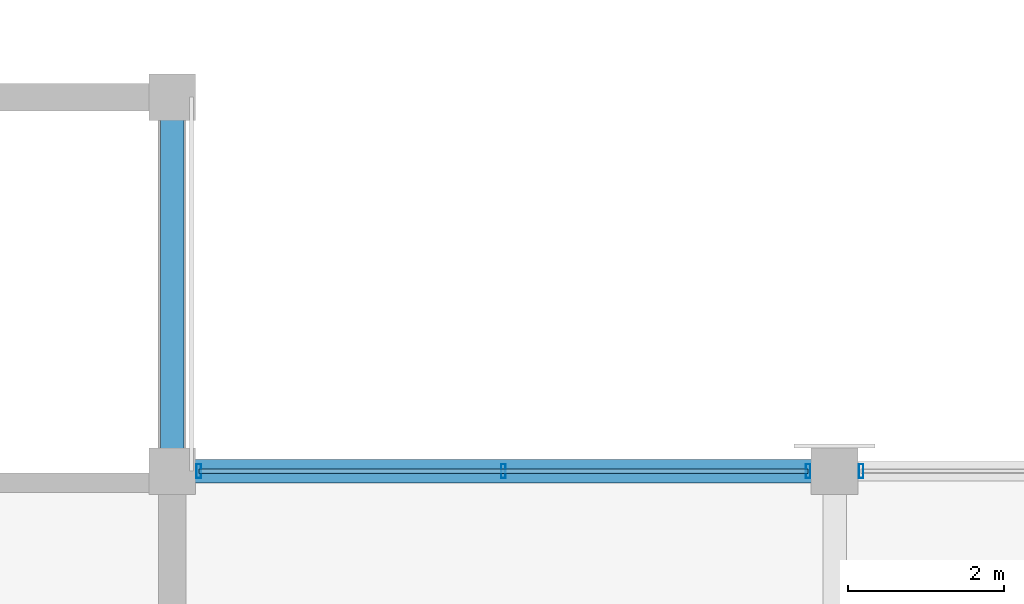
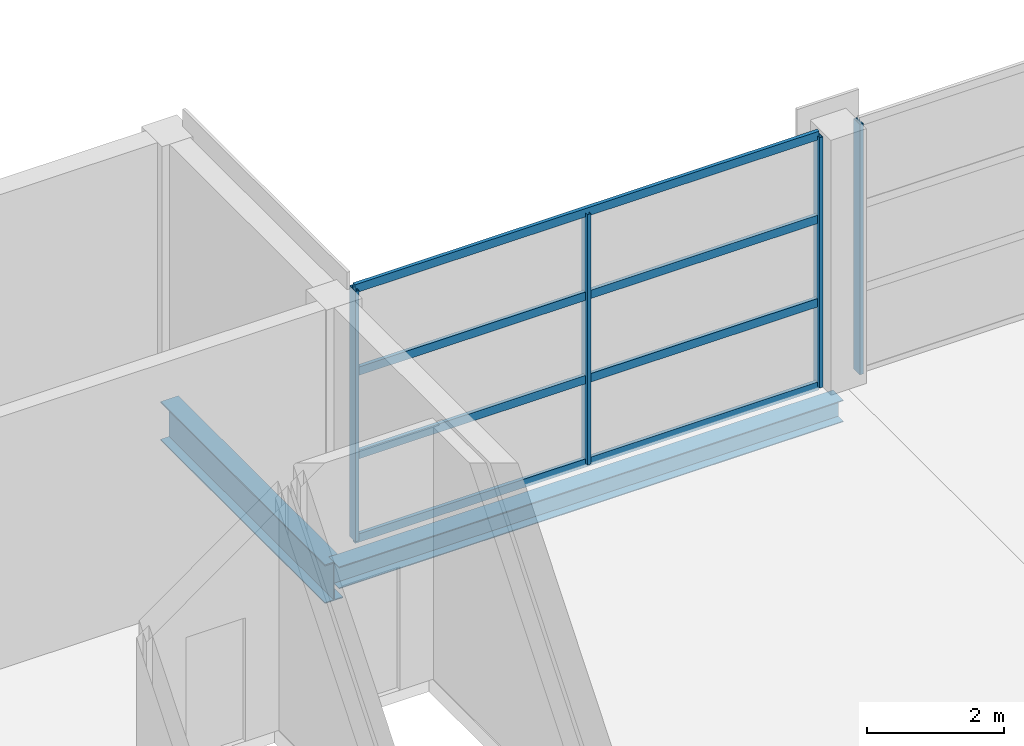
# One storey, part 15 of 46: 8 members, 2 beams, 2 elements without a shape of their own.
"""IFC4 building model written with IfcOpenShell, lengths in metres."""

from ifc_helpers import new_model, si_unit, direction, frame, origin, origin_2d, place, context, subcontext, project, spatial, hollow_rectangle, i_section, extrude, material, material_profile, profile_set, type_object, element, aggregate, save


model = new_model("IFC4")

# Units and contexts
model_context = context("Model", 3, precision=1e-05, world=origin(), true_north=direction((0.0, 1.0)))
body_context = subcontext(model_context, "Body", "Model", "MODEL_VIEW")
ifc_project = project(units=[si_unit("LENGTHUNIT", "METRE"), si_unit("AREAUNIT", "SQUARE_METRE"), si_unit("VOLUMEUNIT", "CUBIC_METRE"), si_unit("PLANEANGLEUNIT", "RADIAN"), si_unit("MASSUNIT", "GRAM", prefix="KILO")], contexts=[model_context])

# Site, building, storey
site_placement = place(None, origin())
site = spatial("IfcSite", under=ifc_project, at=site_placement, CompositionType="ELEMENT")
building_placement = place(site_placement, origin())
building = spatial("IfcBuilding", under=site, at=building_placement, Name="Solvikara Media Centre", CompositionType="ELEMENT")
storey_placement = place(building_placement, frame((0.0, 0.0, 24.60009765625)))
storey = spatial("IfcBuildingStorey", under=building, at=storey_placement, Name="L05", CompositionType="ELEMENT", Elevation=24.60009765625)

# Beams
ifc_material_1 = material(Name="Steel S355JR", Category="steel")
ifc_material_profile_1 = material_profile(ifc_material_1, i_section(OverallWidth=0.300048828125, OverallDepth=0.69189453125, WebThickness=0.012939453125, FlangeThickness=0.02001953125, at=origin_2d()), Name="H 692x300x13x20")
ifc_profile_set_1 = profile_set([ifc_material_profile_1], Name="Steel S355JR")
beam_type_1 = type_object("IfcBeamType", Name="BM-25", PredefinedType="BEAM", material=ifc_profile_set_1)
beam_1_placement = place(storey_placement, frame((42.5, 32.0, -0.628173828125), z_axis=(0.0, 1.0, 0.0), x_axis=(-1.0, 0.0, 0.0)))
element("IfcBeam", 1, at=beam_1_placement, inside=storey, type_object=beam_type_1, Name="B-L05-Y1657", PredefinedType="BEAM", context=body_context, shape_type="SweptSolid", body=[
    extrude(i_section(OverallWidth=0.300048828125, OverallDepth=0.69189453125, WebThickness=0.012939453125, FlangeThickness=0.02001953125, at=origin_2d()), origin(), (0.0, 0.0, 1.0), 4.800048828125),
])
ifc_material_profile_2 = material_profile(ifc_material_1, i_section(OverallWidth=0.300048828125, OverallDepth=0.389892578125, WebThickness=0.010009765625, FlangeThickness=0.01611328125, at=origin_2d()), Name="H 390x300x10x16")
ifc_profile_set_2 = profile_set([ifc_material_profile_2], Name="Steel S355JR")
beam_type_2 = type_object("IfcBeamType", Name="BM-29", PredefinedType="BEAM", material=ifc_profile_set_2)
beam_2_placement = place(storey_placement, frame((42.5, 32.0, -0.47705078125), z_axis=(1.0, 0.0, 0.0), x_axis=(0.0, 1.0, 0.0)))
element("IfcBeam", 2, at=beam_2_placement, inside=storey, type_object=beam_type_2, Name="B-L05-X1647", PredefinedType="BEAM", context=body_context, shape_type="SweptSolid", body=[
    extrude(i_section(OverallWidth=0.300048828125, OverallDepth=0.389892578125, WebThickness=0.010009765625, FlangeThickness=0.01611328125, at=origin_2d()), origin(), (0.0, 0.0, 1.0), 8.5),
])

# Curtain wall, members
ifc_material_2 = material(Name="Anodised aluminium EN AW-6063", Category="aluminium")
curtain_wall_type = type_object("IfcCurtainWallType", Name="CW-09", PredefinedType="NOTDEFINED", material=ifc_material_2)
curtain_wall_1_placement = place(storey_placement, origin())
curtain_wall_1 = element("IfcCurtainWall", 3, at=curtain_wall_1_placement, inside=storey, type_object=curtain_wall_type, Name="CW-L05-V6N-S1", PredefinedType="NOTDEFINED")
ifc_material_profile_3 = material_profile(ifc_material_2, hollow_rectangle(XDim=0.06005859375, YDim=0.179931640625, WallThickness=0.00341796875, at=origin_2d()), Name="ALU-M 60x180x3.5")
ifc_profile_set_3 = profile_set([ifc_material_profile_3], Name="Anodised aluminium EN AW-6063")
member_type_1 = type_object("IfcMemberType", Name="MF-03", PredefinedType="MULLION", material=ifc_profile_set_3)
member_1_placement = place(storey_placement, frame((42.840087890625, 32.0, 0.02001953125), z_axis=(0.0, 0.0, 1.0), x_axis=(1.0, 0.0, 0.0)))
member_1 = element("IfcMember", 4, at=member_1_placement, type_object=member_type_1, Name="CW-L05-V6N-S1-M00", PredefinedType="MULLION", context=body_context, shape_type="SweptSolid", body=[
    extrude(hollow_rectangle(XDim=0.06005859375, YDim=0.179931640625, WallThickness=0.00341796875, at=origin_2d()), origin(), (0.0, 0.0, 1.0), 4.4599609375),
])
member_2_placement = place(storey_placement, frame((46.75, 32.0, 0.02001953125), z_axis=(0.0, 0.0, 1.0), x_axis=(1.0, 0.0, 0.0)))
member_2 = element("IfcMember", 5, at=member_2_placement, type_object=member_type_1, Name="CW-L05-V6N-S1-M01", PredefinedType="MULLION", context=body_context, shape_type="SweptSolid", body=[
    extrude(hollow_rectangle(XDim=0.06005859375, YDim=0.179931640625, WallThickness=0.00341796875, at=origin_2d()), origin(), (0.0, 0.0, 1.0), 4.4599609375),
])
member_3_placement = place(storey_placement, frame((50.659912109375, 32.0, 0.02001953125), z_axis=(0.0, 0.0, 1.0), x_axis=(1.0, 0.0, 0.0)))
member_3 = element("IfcMember", 6, at=member_3_placement, type_object=member_type_1, Name="CW-L05-V6N-S1-M02", PredefinedType="MULLION", context=body_context, shape_type="SweptSolid", body=[
    extrude(hollow_rectangle(XDim=0.06005859375, YDim=0.179931640625, WallThickness=0.00341796875, at=origin_2d()), origin(), (0.0, 0.0, 1.0), 4.4599609375),
])

# Curtain wall, member
curtain_wall_2_placement = place(storey_placement, origin())
curtain_wall_2 = element("IfcCurtainWall", 7, at=curtain_wall_2_placement, inside=storey, type_object=curtain_wall_type, Name="CW-L05-V6N-S2", PredefinedType="NOTDEFINED")
member_4_placement = place(storey_placement, frame((51.340087890625, 32.0, 0.02001953125), z_axis=(0.0, 0.0, 1.0), x_axis=(1.0, 0.0, 0.0)))
member_4 = element("IfcMember", 8, at=member_4_placement, type_object=member_type_1, Name="CW-L05-V6N-S2-M00", PredefinedType="MULLION", context=body_context, shape_type="SweptSolid", body=[
    extrude(hollow_rectangle(XDim=0.06005859375, YDim=0.179931640625, WallThickness=0.00341796875, at=origin_2d()), origin(), (0.0, 0.0, 1.0), 4.4599609375),
])
aggregate(curtain_wall_2, [member_4])

# Member
ifc_material_profile_4 = material_profile(ifc_material_2, hollow_rectangle(XDim=0.06005859375, YDim=0.14990234375, WallThickness=0.0029296875, at=origin_2d()), Name="ALU-T 60x150x3")
ifc_profile_set_4 = profile_set([ifc_material_profile_4], Name="Anodised aluminium EN AW-6063")
member_type_2 = type_object("IfcMemberType", Name="MF-09", PredefinedType="USERDEFINED", material=ifc_profile_set_4)
member_5_placement = place(storey_placement, frame((42.840087890625, 32.0, 0.02001953125), z_axis=(1.0, 0.0, 0.0), x_axis=(0.0, 1.0, 0.0)))
member_5 = element("IfcMember", 9, at=member_5_placement, type_object=member_type_2, Name="CW-L05-V6N-S1-T00", ObjectType="TRANSOM", PredefinedType="USERDEFINED", context=body_context, shape_type="SweptSolid", body=[
    extrude(hollow_rectangle(XDim=0.06005859375, YDim=0.14990234375, WallThickness=0.0029296875, at=origin_2d()), origin(), (0.0, 0.0, 1.0), 7.81982421875),
])

member_6_placement = place(storey_placement, frame((42.840087890625, 32.0, 1.5068359375), z_axis=(1.0, 0.0, 0.0), x_axis=(0.0, 1.0, 0.0)))
member_6 = element("IfcMember", 10, at=member_6_placement, type_object=member_type_2, Name="CW-L05-V6N-S1-T01", ObjectType="TRANSOM", PredefinedType="USERDEFINED", context=body_context, shape_type="SweptSolid", body=[
    extrude(hollow_rectangle(XDim=0.06005859375, YDim=0.14990234375, WallThickness=0.0029296875, at=origin_2d()), origin(), (0.0, 0.0, 1.0), 7.81982421875),
])

member_7_placement = place(storey_placement, frame((42.840087890625, 32.0, 2.992919921875), z_axis=(1.0, 0.0, 0.0), x_axis=(0.0, 1.0, 0.0)))
member_7 = element("IfcMember", 11, at=member_7_placement, type_object=member_type_2, Name="CW-L05-V6N-S1-T02", ObjectType="TRANSOM", PredefinedType="USERDEFINED", context=body_context, shape_type="SweptSolid", body=[
    extrude(hollow_rectangle(XDim=0.06005859375, YDim=0.14990234375, WallThickness=0.0029296875, at=origin_2d()), origin(), (0.0, 0.0, 1.0), 7.81982421875),
])

member_8_placement = place(storey_placement, frame((42.840087890625, 32.0, 4.47998046875), z_axis=(1.0, 0.0, 0.0), x_axis=(0.0, 1.0, 0.0)))
member_8 = element("IfcMember", 12, at=member_8_placement, type_object=member_type_2, Name="CW-L05-V6N-S1-T03", ObjectType="TRANSOM", PredefinedType="USERDEFINED", context=body_context, shape_type="SweptSolid", body=[
    extrude(hollow_rectangle(XDim=0.06005859375, YDim=0.14990234375, WallThickness=0.0029296875, at=origin_2d()), origin(), (0.0, 0.0, 1.0), 7.81982421875),
])

aggregate(curtain_wall_1, [member_1, member_2, member_3, member_5, member_6, member_7, member_8])

save(model, "model.ifc")
